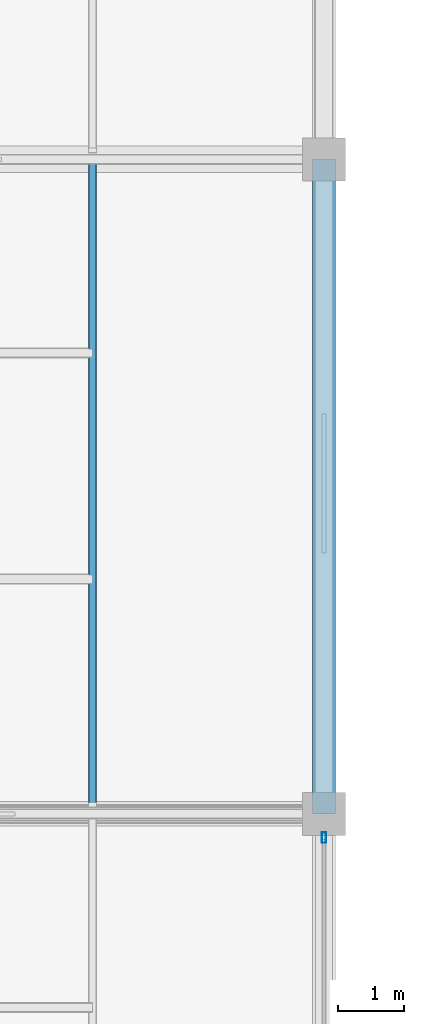
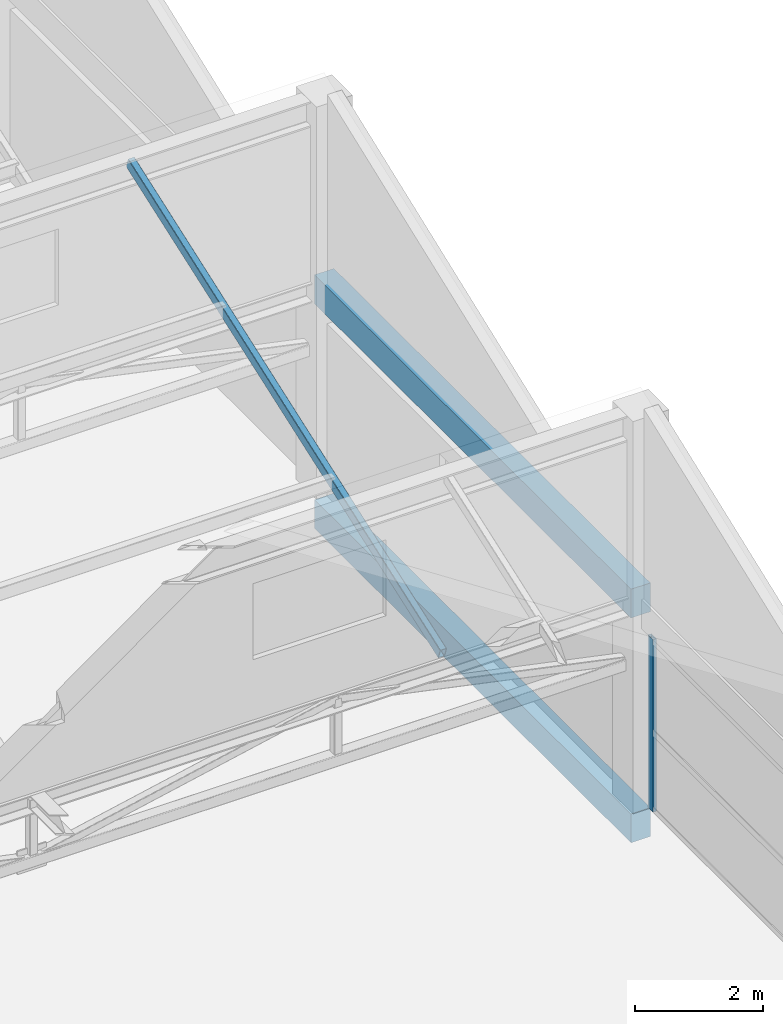
# One storey, part 20 of 35: 2 beams, 2 members, 1 element without a shape of its own.
"""IFC4 building model written with IfcOpenShell, lengths in metres."""

from ifc_helpers import new_model, si_unit, direction, frame, origin, origin_2d, place, context, subcontext, project, spatial, rectangle, hollow_rectangle, extrude, material, layer, layer_set, material_profile, profile_set, type_object, element, aggregate, save


model = new_model("IFC4")

# Units and contexts
model_context = context("Model", 3, precision=1e-05, world=origin(), true_north=direction((0.0, 1.0)))
body_context = subcontext(model_context, "Body", "Model", "MODEL_VIEW")
ifc_project = project(units=[si_unit("LENGTHUNIT", "METRE"), si_unit("AREAUNIT", "SQUARE_METRE"), si_unit("VOLUMEUNIT", "CUBIC_METRE"), si_unit("PLANEANGLEUNIT", "RADIAN"), si_unit("MASSUNIT", "GRAM", prefix="KILO")], contexts=[model_context])

# Site, building, storey
site_placement = place(None, origin())
site = spatial("IfcSite", under=ifc_project, at=site_placement, CompositionType="ELEMENT")
building_placement = place(site_placement, origin())
building = spatial("IfcBuilding", under=site, at=building_placement, Name="Sillaruma Civic Art Gallery", CompositionType="ELEMENT")
storey_placement = place(building_placement, frame((0.0, 0.0, 74.4599609375)))
storey = spatial("IfcBuildingStorey", under=building, at=storey_placement, Name="L15", CompositionType="ELEMENT", Elevation=74.4599609375)

# Beams
ifc_material_1 = material(Name="Concrete H35 (35 MPa)", Category="concrete")
ifc_material_profile_1 = material_profile(ifc_material_1, rectangle(XDim=0.35009765625, YDim=0.550048828125, at=origin_2d()), Name="RCB350x550")
ifc_profile_set_1 = profile_set([ifc_material_profile_1], Name="Concrete H35 (35 MPa)")
beam_type_1 = type_object("IfcBeamType", Name="BM-ROF-RCB350x550", PredefinedType="SPANDREL", material=ifc_profile_set_1)
beam_1_placement = place(storey_placement, frame((92.0, 69.300048828125, 3.76513671875), z_axis=(0.0, 1.0, 0.0), x_axis=(-1.0, 0.0, 0.0)))
element("IfcBeam", 1, at=beam_1_placement, inside=storey, type_object=beam_type_1, Name="Beam BSR-04 (L15:K:8-9)", PredefinedType="SPANDREL", context=body_context, shape_type="SweptSolid", body=[
    extrude(rectangle(XDim=0.35009765625, YDim=0.550048828125, at=origin_2d()), origin(), (0.0, 0.0, 1.0), 9.89990234375),
])
ifc_material_profile_2 = material_profile(ifc_material_1, rectangle(XDim=0.35009765625, YDim=0.550048828125, at=origin_2d()), Name="RCB350x550")
ifc_profile_set_2 = profile_set([ifc_material_profile_2], Name="Concrete H35 (35 MPa)")
beam_type_2 = type_object("IfcBeamType", Name="BM-SPANDREL-RCB350x550", PredefinedType="SPANDREL", material=ifc_profile_set_2)
beam_2_placement = place(storey_placement, frame((92.0, 69.300048828125, -0.52490234375), z_axis=(0.0, 1.0, 0.0), x_axis=(-1.0, 0.0, 0.0)))
element("IfcBeam", 2, at=beam_2_placement, inside=storey, type_object=beam_type_2, Name="Beam BS-04 (L14:K:8-9)", PredefinedType="SPANDREL", context=body_context, shape_type="SweptSolid", body=[
    extrude(rectangle(XDim=0.35009765625, YDim=0.550048828125, at=origin_2d()), origin(), (0.0, 0.0, 1.0), 9.89990234375),
])

# Curtain wall, member
ifc_material_2 = material(Name="Thermally Broken Extruded Aluminium 6063-T6", Category="aluminium")
ifc_layer = layer(ifc_material_2, 0.159912109375, Name="Thermally Broken Extruded Aluminium 6063-T6")
ifc_layer_set = layer_set([ifc_layer], Name="Thermally Broken Extruded Aluminium 6063-T6")
curtain_wall_type = type_object("IfcCurtainWallType", Name="CW-UNI-114", PredefinedType="NOTDEFINED", material=ifc_layer_set)
curtain_wall_placement = place(storey_placement, origin())
curtain_wall = element("IfcCurtainWall", 3, at=curtain_wall_placement, inside=storey, type_object=curtain_wall_type, Name="Unitised Curtain Wall CW-114 (CW-L15-WBE-5)", PredefinedType="NOTDEFINED")
ifc_material_profile_3 = material_profile(ifc_material_2, hollow_rectangle(XDim=0.06494140625, YDim=0.159912109375, WallThickness=0.00390625, at=origin_2d()), Name="CWM65x160")
ifc_profile_set_3 = profile_set([ifc_material_profile_3], Name="Thermally Broken Extruded Aluminium 6063-T6")
member_type_1 = type_object("IfcMemberType", Name="MEM-MUL-CWM65x160", PredefinedType="MULLION", material=ifc_profile_set_3)
member_1_placement = place(storey_placement, frame((92.0, 68.9423828125, 0.0), z_axis=(0.0, 0.0, 1.0), x_axis=(-1.0, 0.0, 0.0)))
member_1 = element("IfcMember", 4, at=member_1_placement, type_object=member_type_1, Name="CW-114 mullion 3", PredefinedType="MULLION", context=body_context, shape_type="SweptSolid", body=[
    extrude(hollow_rectangle(XDim=0.06494140625, YDim=0.159912109375, WallThickness=0.00390625, at=origin_2d()), origin(), (0.0, 0.0, 1.0), 3.2900390625),
])
aggregate(curtain_wall, [member_1])

# Member
ifc_material_3 = material(Name="Structural Steel ASTM A500 Gr.C", Category="steel")
ifc_material_profile_4 = material_profile(ifc_material_3, hollow_rectangle(XDim=0.1201171875, YDim=0.199951171875, WallThickness=0.008056640625, InnerFilletRadius=0.008056640625, OuterFilletRadius=0.01611328125, at=origin_2d()), Name="HSS200x120x8")
ifc_profile_set_4 = profile_set([ifc_material_profile_4], Name="Structural Steel ASTM A500 Gr.C")
member_type_2 = type_object("IfcMemberType", Name="MEM-RAF-HSS200", PredefinedType="PURLIN", material=ifc_profile_set_4)
member_2_placement = place(storey_placement, frame((88.5, 69.43994140625, 3.900146484375), z_axis=(0.0, 0.942527174953, 0.33412950255), x_axis=(-1.0, 0.0, 0.0)))
element("IfcMember", 5, at=member_2_placement, inside=storey, type_object=member_type_2, Name="Sawtooth Sloped Steel Rafter (4-E)", PredefinedType="PURLIN", context=body_context, shape_type="SweptSolid", body=[
    extrude(hollow_rectangle(XDim=0.1201171875, YDim=0.199951171875, WallThickness=0.008056640625, InnerFilletRadius=0.008056640625, OuterFilletRadius=0.01611328125, at=origin_2d()), origin(), (0.0, 0.0, 1.0), 10.355224609375),
])

save(model, "model.ifc")
